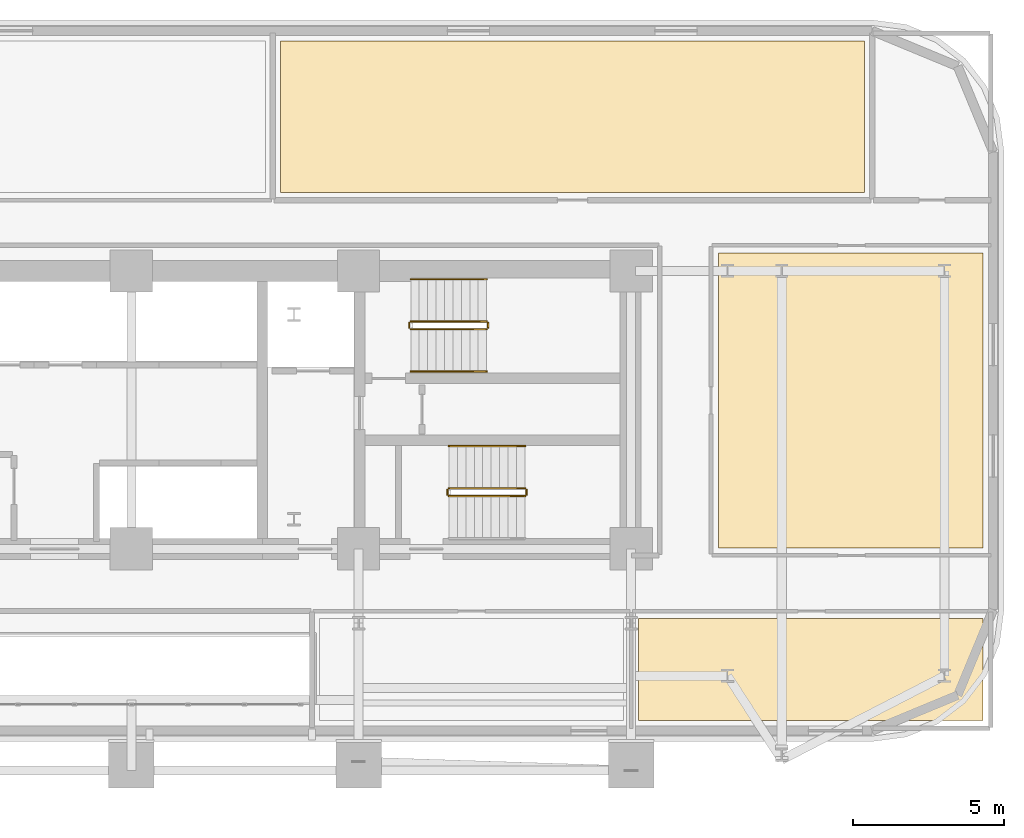
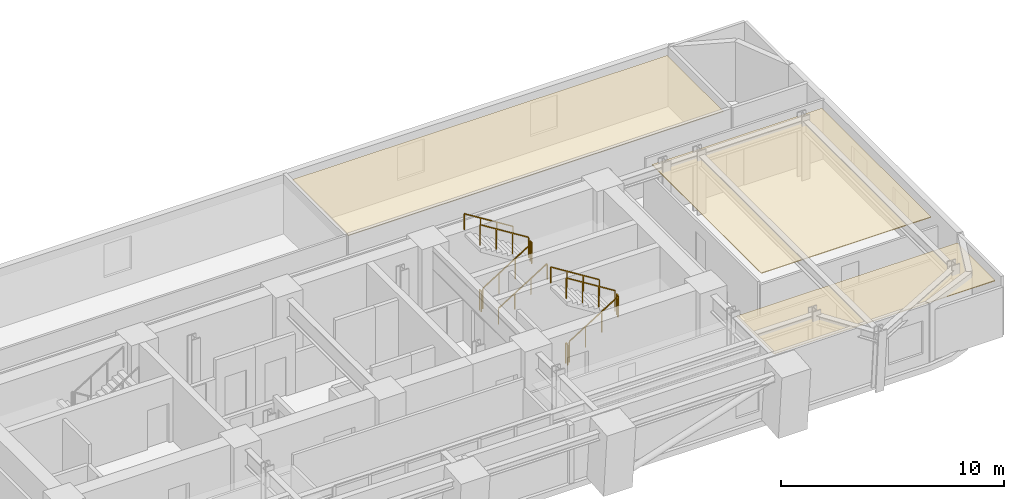
# One storey, part 14 of 14: 11 railings, 3 coverings.
"""IFC4 building model written with IfcOpenShell, lengths in metres."""

from ifc_helpers import new_model, si_unit, direction, frame, origin, origin_2d, place, context, subcontext, project, spatial, polyline, rectangle, outline, extrude, material, layer, layer_set, type_object, element, save


model = new_model("IFC4")

# Units and contexts
model_context = context("Model", 3, precision=1e-05, world=origin(), true_north=direction((0.0, 1.0)))
body_context = subcontext(model_context, "Body", "Model", "MODEL_VIEW")
ifc_project = project(units=[si_unit("LENGTHUNIT", "METRE"), si_unit("AREAUNIT", "SQUARE_METRE"), si_unit("VOLUMEUNIT", "CUBIC_METRE"), si_unit("PLANEANGLEUNIT", "RADIAN"), si_unit("MASSUNIT", "GRAM", prefix="KILO")], contexts=[model_context])

# Site, building, storey
site_placement = place(None, origin())
site = spatial("IfcSite", under=ifc_project, at=site_placement, CompositionType="ELEMENT")
building_placement = place(site_placement, origin())
building = spatial("IfcBuilding", under=site, at=building_placement, Name="Zarnavel Station Tower", CompositionType="ELEMENT")
storey_placement = place(building_placement, frame((0.0, 0.0, 60.5)))
storey = spatial("IfcBuildingStorey", under=building, at=storey_placement, Name="L16", CompositionType="ELEMENT", Elevation=60.5)

# Coverings
ifc_material_1 = material(Name="Perforated Gypsum and Mineral-Wool Acoustic Ceiling", Category="concrete")
ifc_layer = layer(ifc_material_1, 0.0400390625)
ifc_layer_set = layer_set([ifc_layer], Name="COV_CEIL_ACOUSTIC")
covering_type = type_object("IfcCoveringType", Name="COV_CEIL_ACOUSTIC", PredefinedType="CEILING", material=ifc_layer_set)
covering_1_placement = place(storey_placement, frame((0.0, 0.0, 2.919921875)))
element("IfcCovering", 1, at=covering_1_placement, inside=storey, type_object=covering_type, Name="L16 FNE4 Acoustic Ceiling", PredefinedType="CEILING", context=body_context, shape_type="SweptSolid", body=[
    extrude(outline(polyline([(48.300048828125, 27.85009765625), (57.090087890625, 27.85009765625), (57.090087890625, 37.64990234375), (48.300048828125, 37.64990234375), (48.300048828125, 27.85009765625)])), origin(), (0.0, 0.0, 1.0), 0.0400390625),
])
covering_2_placement = place(storey_placement, frame((0.0, 0.0, 2.919921875)))
element("IfcCovering", 2, at=covering_2_placement, inside=storey, type_object=covering_type, Name="L16 NL4B Acoustic Ceiling", PredefinedType="CEILING", context=body_context, shape_type="SweptSolid", body=[
    extrude(outline(polyline([(33.75, 39.64990234375), (53.14990234375, 39.64990234375), (53.14990234375, 44.68994140625), (33.75, 44.68994140625), (33.75, 39.64990234375)])), origin(), (0.0, 0.0, 1.0), 0.0400390625),
])
covering_3_placement = place(storey_placement, frame((0.0, 0.0, 2.919921875)))
element("IfcCovering", 3, at=covering_3_placement, inside=storey, type_object=covering_type, Name="L16 Z1TEA Acoustic Ceiling", PredefinedType="CEILING", context=body_context, shape_type="SweptSolid", body=[
    extrude(outline(polyline([(45.64990234375, 22.110107421875), (57.090087890625, 22.110107421875), (57.090087890625, 25.5), (45.64990234375, 25.5), (45.64990234375, 22.110107421875)])), origin(), (0.0, 0.0, 1.0), 0.0400390625),
])

# Railings
ifc_material_2 = material(Name="Painted Steel S355J2 Balustrade", Category="steel")
railing_type_1 = type_object("IfcRailingType", Name="GR_INT_1150", PredefinedType="GUARDRAIL", material=ifc_material_2)
railing_1_placement = place(storey_placement, frame((38.080078125, 35.110107421875, 0.175048828125)))
element("IfcRailing", 4, at=railing_1_placement, inside=storey, type_object=railing_type_1, Name="L16 ST2 stair guard 1", PredefinedType="GUARDRAIL", context=body_context, shape_type="SweptSolid", body=[
    extrude(rectangle(XDim=0.048095703125, YDim=0.048095703125, at=origin_2d()), frame((0.001708984375, 0.0, 1.126953125), z_axis=(0.848007534815, 0.0, 0.529984170421), x_axis=(0.0, 1.0, 0.0)), (0.0, 0.0, 1.0), 2.9677734375),
    extrude(rectangle(XDim=0.0419921875, YDim=0.0419921875, at=origin_2d()), origin(), (0.0, 0.0, 1.0), 1.101806640625),
    extrude(rectangle(XDim=0.0419921875, YDim=0.0419921875, at=origin_2d()), frame((0.840087890625, 0.0, 0.52490234375)), (0.0, 0.0, 1.0), 1.101806640625),
    extrude(rectangle(XDim=0.0419921875, YDim=0.0419921875, at=origin_2d()), frame((1.679931640625, 0.0, 1.050048828125)), (0.0, 0.0, 1.0), 1.101806640625),
    extrude(rectangle(XDim=0.0419921875, YDim=0.0419921875, at=origin_2d()), frame((2.52001953125, 0.0, 1.574951171875)), (0.0, 0.0, 1.0), 1.101806640625),
])
railing_2_placement = place(storey_placement, frame((40.64990234375, 35.159912109375, 1.75)))
element("IfcRailing", 5, at=railing_2_placement, inside=storey, type_object=railing_type_1, Name="L16 ST2 stair guard 2", PredefinedType="GUARDRAIL", context=body_context, shape_type="SweptSolid", body=[
    extrude(rectangle(XDim=0.048095703125, YDim=0.048095703125, at=origin_2d()), frame((0.0, 0.001953125, 1.1259765625), z_axis=(0.0, 1.0, 0.0), x_axis=(-1.0, 0.0, 0.0)), (0.0, 0.0, 1.0), 0.15625),
    extrude(rectangle(XDim=0.0419921875, YDim=0.0419921875, at=origin_2d()), origin(), (0.0, 0.0, 1.0), 1.101806640625),
    extrude(rectangle(XDim=0.0419921875, YDim=0.0419921875, at=origin_2d()), frame((0.0, 0.16015625, 0.0)), (0.0, 0.0, 1.0), 1.101806640625),
])
railing_3_placement = place(storey_placement, frame((40.60009765625, 35.3701171875, 1.925048828125)))
element("IfcRailing", 6, at=railing_3_placement, inside=storey, type_object=railing_type_1, Name="L16 ST2 stair guard 3", PredefinedType="GUARDRAIL", context=body_context, shape_type="SweptSolid", body=[
    extrude(rectangle(XDim=0.048095703125, YDim=0.048095703125, at=origin_2d()), frame((-0.001708984375, 0.0, 1.126953125), z_axis=(-0.848007534815, 0.0, 0.529984170421), x_axis=(0.0, -1.0, 0.0)), (0.0, 0.0, 1.0), 2.9677734375),
    extrude(rectangle(XDim=0.0419921875, YDim=0.0419921875, at=origin_2d()), origin(), (0.0, 0.0, 1.0), 1.101806640625),
    extrude(rectangle(XDim=0.0419921875, YDim=0.0419921875, at=origin_2d()), frame((-0.840087890625, 0.0, 0.52490234375)), (0.0, 0.0, 1.0), 1.101806640625),
    extrude(rectangle(XDim=0.0419921875, YDim=0.0419921875, at=origin_2d()), frame((-1.679931640625, 0.0, 1.050048828125)), (0.0, 0.0, 1.0), 1.101806640625),
    extrude(rectangle(XDim=0.0419921875, YDim=0.0419921875, at=origin_2d()), frame((-2.52001953125, 0.0, 1.574951171875)), (0.0, 0.0, 1.0), 1.101806640625),
])
railing_4_placement = place(storey_placement, frame((38.030029296875, 35.159912109375, 0.0)))
element("IfcRailing", 7, at=railing_4_placement, inside=storey, type_object=railing_type_1, Name="L16 ST2 stair guard 4", PredefinedType="GUARDRAIL", context=body_context, shape_type="SweptSolid", body=[
    extrude(rectangle(XDim=0.048095703125, YDim=0.048095703125, at=origin_2d()), frame((0.0, 0.001953125, 1.1259765625), z_axis=(0.0, 1.0, 0.0), x_axis=(-1.0, 0.0, 0.0)), (0.0, 0.0, 1.0), 0.15625),
    extrude(rectangle(XDim=0.0419921875, YDim=0.0419921875, at=origin_2d()), origin(), (0.0, 0.0, 1.0), 1.101806640625),
    extrude(rectangle(XDim=0.0419921875, YDim=0.0419921875, at=origin_2d()), frame((0.0, 0.16015625, 0.0)), (0.0, 0.0, 1.0), 1.101806640625),
])
railing_5_placement = place(storey_placement, frame((39.35009765625, 29.570068359375, 0.175048828125)))
element("IfcRailing", 8, at=railing_5_placement, inside=storey, type_object=railing_type_1, Name="L16 ST3 stair guard 1", PredefinedType="GUARDRAIL", context=body_context, shape_type="SweptSolid", body=[
    extrude(rectangle(XDim=0.048095703125, YDim=0.048095703125, at=origin_2d()), frame((0.001708984375, 0.0, 1.126953125), z_axis=(0.848007534815, 0.0, 0.529984170421), x_axis=(0.0, 1.0, 0.0)), (0.0, 0.0, 1.0), 2.9677734375),
    extrude(rectangle(XDim=0.0419921875, YDim=0.0419921875, at=origin_2d()), origin(), (0.0, 0.0, 1.0), 1.101806640625),
    extrude(rectangle(XDim=0.0419921875, YDim=0.0419921875, at=origin_2d()), frame((0.840087890625, 0.0, 0.52490234375)), (0.0, 0.0, 1.0), 1.101806640625),
    extrude(rectangle(XDim=0.0419921875, YDim=0.0419921875, at=origin_2d()), frame((1.679931640625, 0.0, 1.050048828125)), (0.0, 0.0, 1.0), 1.101806640625),
    extrude(rectangle(XDim=0.0419921875, YDim=0.0419921875, at=origin_2d()), frame((2.52001953125, 0.0, 1.574951171875)), (0.0, 0.0, 1.0), 1.101806640625),
])
railing_6_placement = place(storey_placement, frame((41.919921875, 29.6201171875, 1.75)))
element("IfcRailing", 9, at=railing_6_placement, inside=storey, type_object=railing_type_1, Name="L16 ST3 stair guard 2", PredefinedType="GUARDRAIL", context=body_context, shape_type="SweptSolid", body=[
    extrude(rectangle(XDim=0.048095703125, YDim=0.048095703125, at=origin_2d()), frame((0.0, 0.001953125, 1.1259765625), z_axis=(0.0, 1.0, 0.0), x_axis=(-1.0, 0.0, 0.0)), (0.0, 0.0, 1.0), 0.156005859375),
    extrude(rectangle(XDim=0.0419921875, YDim=0.0419921875, at=origin_2d()), origin(), (0.0, 0.0, 1.0), 1.101806640625),
    extrude(rectangle(XDim=0.0419921875, YDim=0.0419921875, at=origin_2d()), frame((0.0, 0.159912109375, 0.0)), (0.0, 0.0, 1.0), 1.101806640625),
])
railing_7_placement = place(storey_placement, frame((41.8701171875, 29.830078125, 1.925048828125)))
element("IfcRailing", 10, at=railing_7_placement, inside=storey, type_object=railing_type_1, Name="L16 ST3 stair guard 3", PredefinedType="GUARDRAIL", context=body_context, shape_type="SweptSolid", body=[
    extrude(rectangle(XDim=0.048095703125, YDim=0.048095703125, at=origin_2d()), frame((-0.001708984375, 0.0, 1.126953125), z_axis=(-0.848007534815, 0.0, 0.529984170421), x_axis=(0.0, -1.0, 0.0)), (0.0, 0.0, 1.0), 2.9677734375),
    extrude(rectangle(XDim=0.0419921875, YDim=0.0419921875, at=origin_2d()), origin(), (0.0, 0.0, 1.0), 1.101806640625),
    extrude(rectangle(XDim=0.0419921875, YDim=0.0419921875, at=origin_2d()), frame((-0.840087890625, 0.0, 0.52490234375)), (0.0, 0.0, 1.0), 1.101806640625),
    extrude(rectangle(XDim=0.0419921875, YDim=0.0419921875, at=origin_2d()), frame((-1.679931640625, 0.0, 1.050048828125)), (0.0, 0.0, 1.0), 1.101806640625),
    extrude(rectangle(XDim=0.0419921875, YDim=0.0419921875, at=origin_2d()), frame((-2.52001953125, 0.0, 1.574951171875)), (0.0, 0.0, 1.0), 1.101806640625),
])
railing_8_placement = place(storey_placement, frame((39.300048828125, 29.6201171875, 0.0)))
element("IfcRailing", 11, at=railing_8_placement, inside=storey, type_object=railing_type_1, Name="L16 ST3 stair guard 4", PredefinedType="GUARDRAIL", context=body_context, shape_type="SweptSolid", body=[
    extrude(rectangle(XDim=0.048095703125, YDim=0.048095703125, at=origin_2d()), frame((0.0, 0.001953125, 1.1259765625), z_axis=(0.0, 1.0, 0.0), x_axis=(-1.0, 0.0, 0.0)), (0.0, 0.0, 1.0), 0.156005859375),
    extrude(rectangle(XDim=0.0419921875, YDim=0.0419921875, at=origin_2d()), origin(), (0.0, 0.0, 1.0), 1.101806640625),
    extrude(rectangle(XDim=0.0419921875, YDim=0.0419921875, at=origin_2d()), frame((0.0, 0.159912109375, 0.0)), (0.0, 0.0, 1.0), 1.101806640625),
])
ifc_material_3 = material(Name="Brushed Stainless Steel S355J2 Handrail", Category="steel")
railing_type_2 = type_object("IfcRailingType", Name="HR_STAIR_900", PredefinedType="HANDRAIL", material=ifc_material_3)
railing_9_placement = place(storey_placement, frame((38.080078125, 33.7099609375, 0.175048828125)))
element("IfcRailing", 12, at=railing_9_placement, inside=storey, type_object=railing_type_2, Name="L16 ST2 stair handrail 1", PredefinedType="HANDRAIL", context=body_context, shape_type="SweptSolid", body=[
    extrude(rectangle(XDim=0.048095703125, YDim=0.048095703125, at=origin_2d()), frame((0.001708984375, 0.0, 0.876953125), z_axis=(0.848007534815, 0.0, 0.529984170421), x_axis=(0.0, 1.0, 0.0)), (0.0, 0.0, 1.0), 2.9677734375),
    extrude(rectangle(XDim=0.0419921875, YDim=0.0419921875, at=origin_2d()), origin(), (0.0, 0.0, 1.0), 0.851806640625),
    extrude(rectangle(XDim=0.0419921875, YDim=0.0419921875, at=origin_2d()), frame((0.840087890625, 0.0, 0.52490234375)), (0.0, 0.0, 1.0), 0.851806640625),
    extrude(rectangle(XDim=0.0419921875, YDim=0.0419921875, at=origin_2d()), frame((1.679931640625, 0.0, 1.050048828125)), (0.0, 0.0, 1.0), 0.851806640625),
    extrude(rectangle(XDim=0.0419921875, YDim=0.0419921875, at=origin_2d()), frame((2.52001953125, 0.0, 1.574951171875)), (0.0, 0.0, 1.0), 0.851806640625),
])
for number, where, name in (
    (13, (40.60009765625, 36.77001953125, 1.925048828125), "L16 ST2 stair handrail 2"),
    (14, (41.8701171875, 31.22998046875, 1.925048828125), "L16 ST3 stair handrail 2"),
):
    element("IfcRailing", number, at=place(storey_placement, frame(where)), inside=storey, type_object=railing_type_2, Name=name, PredefinedType="HANDRAIL", context=body_context, shape_type="SweptSolid", body=[
        extrude(rectangle(XDim=0.048095703125, YDim=0.048095703125, at=origin_2d()), frame((-0.001708984375, 0.0, 0.876953125), z_axis=(-0.848007534815, 0.0, 0.529984170421), x_axis=(0.0, -1.0, 0.0)), (0.0, 0.0, 1.0), 2.9677734375),
        extrude(rectangle(XDim=0.0419921875, YDim=0.0419921875, at=origin_2d()), origin(), (0.0, 0.0, 1.0), 0.851806640625),
        extrude(rectangle(XDim=0.0419921875, YDim=0.0419921875, at=origin_2d()), frame((-0.840087890625, 0.0, 0.52490234375)), (0.0, 0.0, 1.0), 0.851806640625),
        extrude(rectangle(XDim=0.0419921875, YDim=0.0419921875, at=origin_2d()), frame((-1.679931640625, 0.0, 1.050048828125)), (0.0, 0.0, 1.0), 0.851806640625),
        extrude(rectangle(XDim=0.0419921875, YDim=0.0419921875, at=origin_2d()), frame((-2.52001953125, 0.0, 1.574951171875)), (0.0, 0.0, 1.0), 0.851806640625),
    ])

save(model, "model.ifc")
